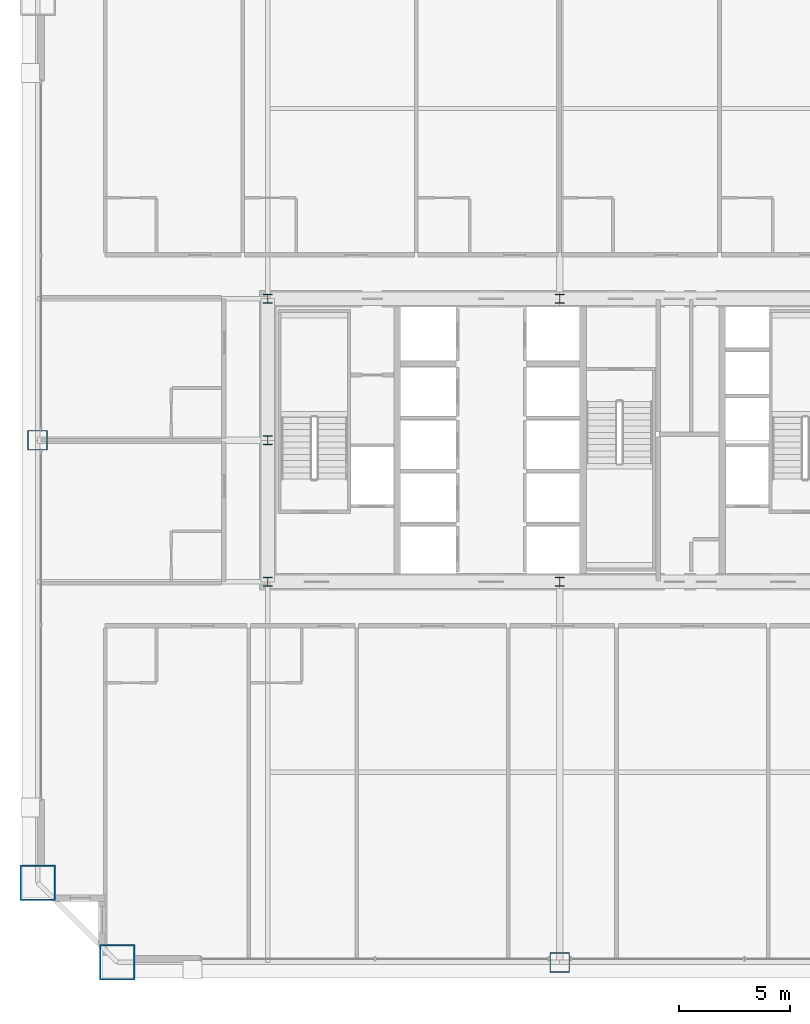
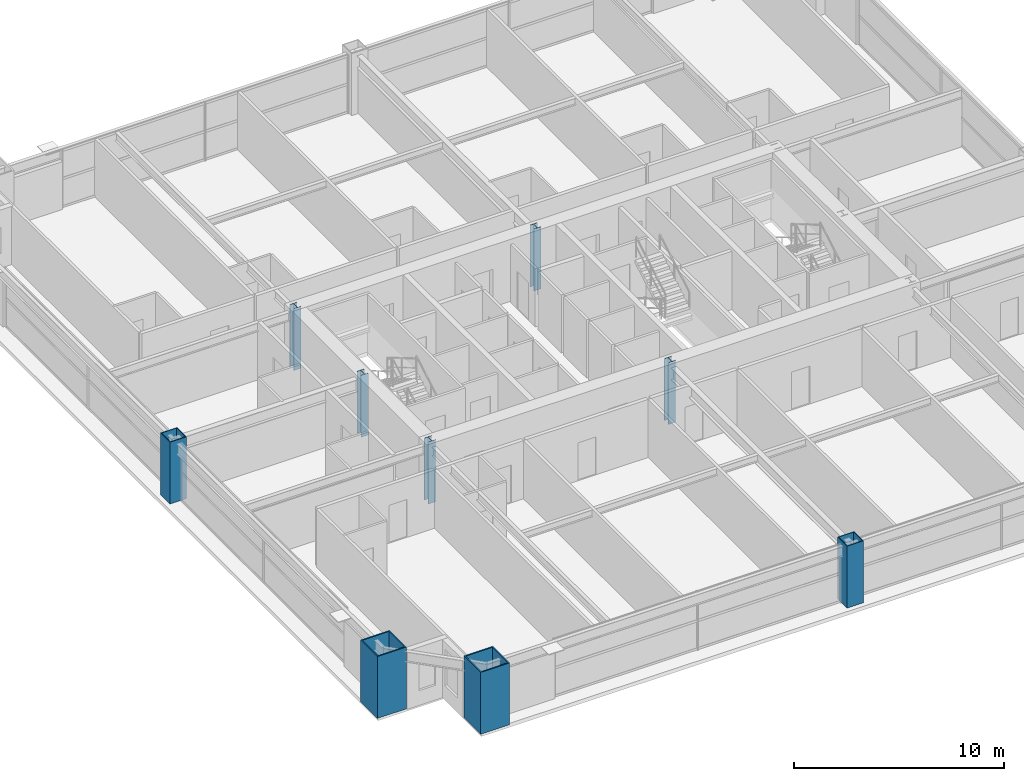
# One storey, part 1 of 39: 9 columns.
"""IFC4 building model written with IfcOpenShell, lengths in metres."""

from ifc_helpers import new_model, si_unit, direction, frame, origin, origin_2d, place, context, subcontext, project, spatial, hollow_rectangle, i_section, extrude, source, transform, mapped, material, material_profile, profile_set, type_object, element, save


model = new_model("IFC4")

# Units and contexts
model_context = context("Model", 3, precision=1e-05, world=origin(), true_north=direction((0.0, 1.0)))
body_context = subcontext(model_context, "Body", "Model", "MODEL_VIEW")
ifc_project = project(units=[si_unit("LENGTHUNIT", "METRE"), si_unit("AREAUNIT", "SQUARE_METRE"), si_unit("VOLUMEUNIT", "CUBIC_METRE"), si_unit("PLANEANGLEUNIT", "RADIAN"), si_unit("MASSUNIT", "GRAM", prefix="KILO"), si_unit("THERMODYNAMICTEMPERATUREUNIT", "KELVIN"), si_unit("POWERUNIT", "WATT")], contexts=[model_context])

# Site, building, storey
site_placement = place(None, origin())
site = spatial("IfcSite", under=ifc_project, at=site_placement, CompositionType="ELEMENT")
building_placement = place(site_placement, origin())
building = spatial("IfcBuilding", under=site, at=building_placement, Name="Yuzanri Waterfront Tower", CompositionType="ELEMENT")
storey_placement = place(building_placement, frame((0.0, 0.0, 156.0)))
storey = spatial("IfcBuildingStorey", under=building, at=storey_placement, Name="L41", CompositionType="ELEMENT", Elevation=156.0)

# Columns
ifc_material_1 = material(Name="Steel Q390GJC", Category="steel")
ifc_material_profile_1 = material_profile(ifc_material_1, hollow_rectangle(XDim=0.89990234375, YDim=0.89990234375, WallThickness=0.0419921875, at=origin_2d()), Name="RHS 900x900x42")
ifc_profile_set_1 = profile_set([ifc_material_profile_1], Name="Steel Q390GJC")
column_type_1 = type_object("IfcColumnType", Name="Frame Column Q390GJC RHS 900x900x42", PredefinedType="COLUMN", material=ifc_profile_set_1)
shared_shape_1 = source(origin(), body_context, "Body", "SweptSolid", [
    extrude(hollow_rectangle(XDim=0.89990234375, YDim=0.89990234375, WallThickness=0.0419921875, at=origin_2d()), origin(), (0.0, 0.0, 1.0), 3.60009765625),
])
for number, where, z_axis, x_axis, name in (
    (1, (37.0, 2.199951171875, 0.0), (0.0, 0.0, 1.0), (1.0, 0.0, 0.0), "L41 Perimeter Frame Column S2"),
    (2, (13.39990234375, 25.800048828125, 0.0), (0.0, 0.0, 1.0), (1.0, 0.0, 0.0), "L41 Perimeter Frame Column W2"),
):
    element("IfcColumn", number, at=place(storey_placement, frame(where, z_axis=z_axis, x_axis=x_axis)), inside=storey, type_object=column_type_1, Name=name, PredefinedType="COLUMN", context=body_context, shape_type="MappedRepresentation", body=[
        mapped(shared_shape_1, transform((0.0, 0.0, 0.0), scale=1.0)),
    ])
ifc_material_2 = material(Name="Steel Q420GJC", Category="steel")
ifc_material_profile_2 = material_profile(ifc_material_2, hollow_rectangle(XDim=1.60009765625, YDim=1.60009765625, WallThickness=0.070068359375, at=origin_2d()), Name="RHS 1600x1600x70")
ifc_profile_set_2 = profile_set([ifc_material_profile_2], Name="Steel Q420GJC")
column_type_2 = type_object("IfcColumnType", Name="Mega Column Q420GJC RHS 1600x1600x70", PredefinedType="COLUMN", material=ifc_profile_set_2)
shared_shape_2 = source(origin(), body_context, "Body", "SweptSolid", [
    extrude(hollow_rectangle(XDim=1.60009765625, YDim=1.60009765625, WallThickness=0.070068359375, at=origin_2d()), origin(), (0.0, 0.0, 1.0), 3.60009765625),
])
for number, where, z_axis, x_axis, name in (
    (3, (17.0, 2.199951171875, 0.0), (0.0, 0.0, 1.0), (1.0, 0.0, 0.0), "L41 Perimeter Mega Column S1"),
    (4, (13.39990234375, 5.800048828125, 0.0), (0.0, 0.0, 1.0), (1.0, 0.0, 0.0), "L41 Perimeter Mega Column W1"),
):
    element("IfcColumn", number, at=place(storey_placement, frame(where, z_axis=z_axis, x_axis=x_axis)), inside=storey, type_object=column_type_2, Name=name, PredefinedType="COLUMN", context=body_context, shape_type="MappedRepresentation", body=[
        mapped(shared_shape_2, transform((0.0, 0.0, 0.0), scale=1.0)),
    ])
ifc_material_3 = material(Name="Steel Q355B", Category="steel")
ifc_material_profile_3 = material_profile(ifc_material_3, i_section(OverallWidth=0.39990234375, OverallDepth=0.39990234375, WebThickness=0.012939453125, FlangeThickness=0.02099609375, at=origin_2d()), Name="HW 400x400x13x21")
ifc_profile_set_3 = profile_set([ifc_material_profile_3], Name="Steel Q355B")
column_type_3 = type_object("IfcColumnType", Name="Core Post Q355B HW 400x400x13x21", PredefinedType="COLUMN", material=ifc_profile_set_3)
shared_shape_3 = source(origin(), body_context, "Body", "SweptSolid", [
    extrude(i_section(OverallWidth=0.39990234375, OverallDepth=0.39990234375, WebThickness=0.012939453125, FlangeThickness=0.02099609375, at=origin_2d()), origin(), (0.0, 0.0, 1.0), 3.60009765625),
])
for number, where, z_axis, x_axis, name in (
    (5, (23.800048828125, 19.39990234375, 0.0), (0.0, 0.0, 1.0), (1.0, 0.0, 0.0), "L41 Core Boundary Column CP1"),
    (6, (37.0, 19.39990234375, 0.0), (0.0, 0.0, 1.0), (1.0, 0.0, 0.0), "L41 Core Boundary Column CP2"),
    (7, (23.800048828125, 25.800048828125, 0.0), (0.0, 0.0, 1.0), (1.0, 0.0, 0.0), "L41 Core Boundary Column CP4"),
    (8, (23.800048828125, 32.199951171875, 0.0), (0.0, 0.0, 1.0), (1.0, 0.0, 0.0), "L41 Core Boundary Column CP6"),
    (9, (37.0, 32.199951171875, 0.0), (0.0, 0.0, 1.0), (1.0, 0.0, 0.0), "L41 Core Boundary Column CP7"),
):
    element("IfcColumn", number, at=place(storey_placement, frame(where, z_axis=z_axis, x_axis=x_axis)), inside=storey, type_object=column_type_3, Name=name, PredefinedType="COLUMN", context=body_context, shape_type="MappedRepresentation", body=[
        mapped(shared_shape_3, transform((0.0, 0.0, 0.0), scale=1.0)),
    ])

save(model, "model.ifc")
